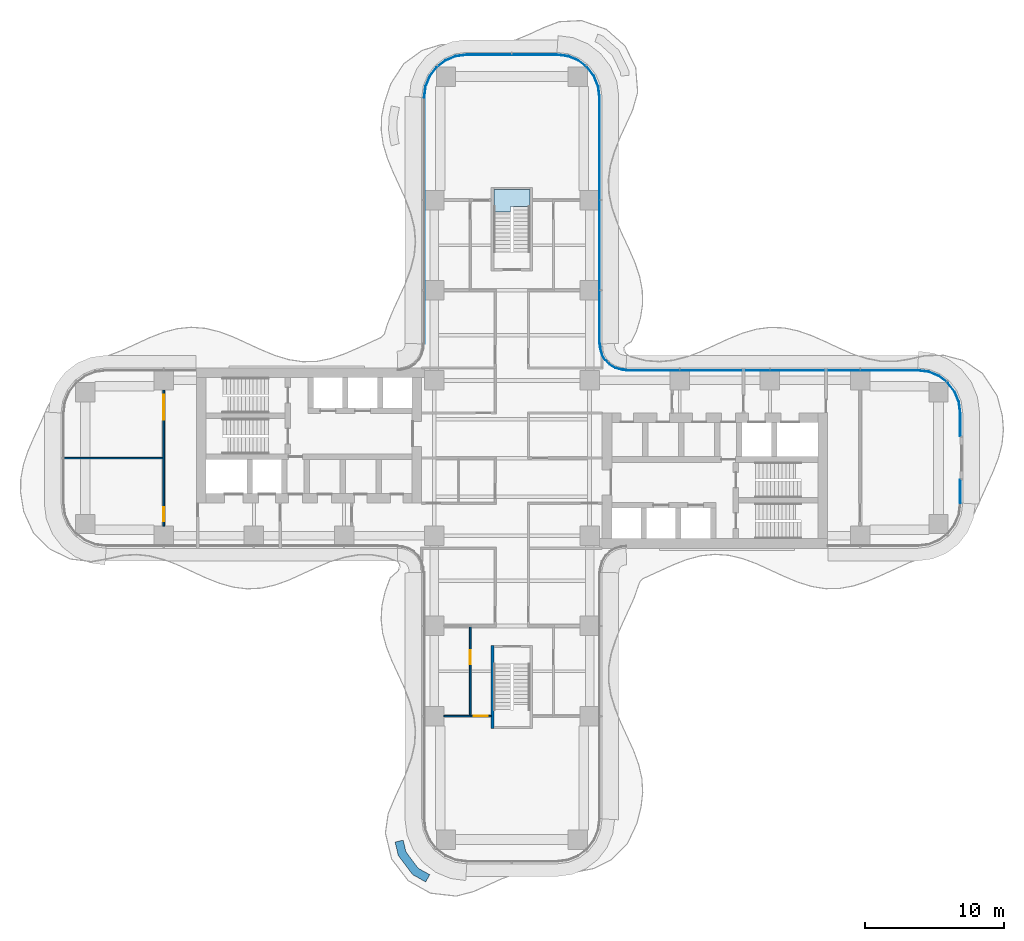
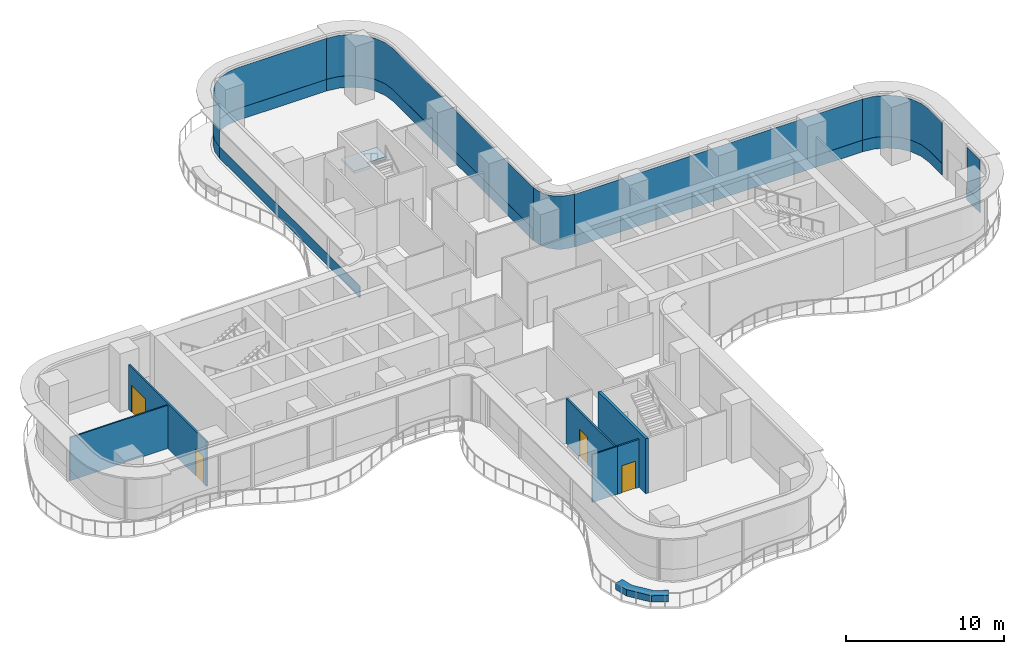
# One storey, part 16 of 22: 12 plates, 7 walls, 4 doors, 1 slab, 4 openings, 8 elements without a shape of their own.
"""IFC4 building model written with IfcOpenShell, lengths in metres."""

from ifc_helpers import new_model, si_unit, direction, frame, frame_2d, origin, place, context, subcontext, project, spatial, polyline, rectangle, outline, extrude, source, transform, mapped, material, layer, layer_set, type_object, element, fill, aggregate, save


model = new_model("IFC4")

# Units and contexts
model_context = context("Model", 3, precision=1e-05, world=origin(), true_north=direction((0.0, 1.0)))
body_context = subcontext(model_context, "Body", "Model", "MODEL_VIEW")
ifc_project = project(units=[si_unit("LENGTHUNIT", "METRE"), si_unit("AREAUNIT", "SQUARE_METRE"), si_unit("VOLUMEUNIT", "CUBIC_METRE"), si_unit("PLANEANGLEUNIT", "RADIAN"), si_unit("MASSUNIT", "GRAM", prefix="KILO")], contexts=[model_context])

# Site, building, storey
site_placement = place(None, origin())
site = spatial("IfcSite", under=ifc_project, at=site_placement, CompositionType="ELEMENT")
building_placement = place(site_placement, origin())
building = spatial("IfcBuilding", under=site, at=building_placement, Name="Trellis Farm Tower", CompositionType="ELEMENT")
storey_placement = place(building_placement, frame((0.0, 0.0, 38.5)))
storey = spatial("IfcBuildingStorey", under=building, at=storey_placement, Name="L07", CompositionType="ELEMENT", Elevation=38.5)

# Stair, slab
ifc_material_1 = material(Name="Concrete C50/60", Category="concrete")
stair_type = type_object("IfcStairType", Name="CORE EXIT STAIR 26 RISERS 173 MM", PredefinedType="HALF_TURN_STAIR", material=ifc_material_1)
placement_1 = place(storey_placement, origin())
stair = element("IfcStair", 1, at=placement_1, inside=storey, type_object=stair_type, Name="Exit stair N", PredefinedType="HALF_TURN_STAIR")
ifc_layer_1 = layer(ifc_material_1, 0.18994140625)
ifc_layer_set_1 = layer_set([ifc_layer_1], Name="CORE STAIR LANDING 190 CONCRETE C50/60")
slab_type = type_object("IfcSlabType", Name="CORE STAIR LANDING 190 CONCRETE C50/60", PredefinedType="LANDING", material=ifc_layer_set_1)
shared_shape_1 = source(origin(), body_context, "Body", "SweptSolid", [
    extrude(outline(polyline([(-0.10009765625, 17.753173828125), (-1.300048828125, 17.753173828125), (-1.300048828125, 18.14990234375), (-1.300048828125, 19.35009765625), (1.300048828125, 19.35009765625), (1.300048828125, 18.14990234375), (1.300048828125, 18.139892578125), (0.10009765625, 18.139892578125), (0.10009765625, 18.14990234375), (-0.10009765625, 18.14990234375), (-0.10009765625, 17.753173828125)])), origin(), (0.0, 0.0, 1.0), 0.18994140625),
])
slab_placement = place(storey_placement, frame((0.0, 0.0, 2.06005859375)))
slab = element("IfcSlab", 2, at=slab_placement, type_object=slab_type, Name="STN landing 1", PredefinedType="LANDING", context=body_context, shape_type="MappedRepresentation", body=[
    mapped(shared_shape_1, transform((0.0, 0.0, 0.0))),
])
aggregate(stair, [slab])

# Curtain wall, plates
ifc_material_2 = material(Name="Aluminium and glass curtain wall", Category="aluminium")
ifc_layer_2 = layer(ifc_material_2, 0.18994140625)
ifc_layer_set_2 = layer_set([ifc_layer_2], Name="RIBBON CURTAIN WALL CW1")
curtain_wall_type_1 = type_object("IfcCurtainWallType", Name="RIBBON CURTAIN WALL CW1", PredefinedType="NOTDEFINED", material=ifc_layer_set_2)
curtain_wall_1 = element("IfcCurtainWall", 3, at=placement_1, inside=storey, type_object=curtain_wall_type_1, Name="CW1 008", PredefinedType="NOTDEFINED")
ifc_material_3 = material(Name="Clear insulated glass", Category="glass")
ifc_layer_3 = layer(ifc_material_3, 0.0400390625)
ifc_layer_set_3 = layer_set([ifc_layer_3], Name="CW1 GLASS PANEL 40")
plate_type_1 = type_object("IfcPlateType", Name="CW1 GLASS PANEL 40", PredefinedType="CURTAIN_PANEL", material=ifc_layer_set_3)
shared_shape_2 = source(origin(), body_context, "Body", "SweptSolid", [
    extrude(outline(polyline([(29.240234375, 6.35009765625), (8.2265625, 6.35009765625), (8.22509765625, 6.31005859375), (29.237548828125, 6.31005859375), (29.240234375, 6.35009765625)])), origin(), (0.0, 0.0, 1.0), 3.170166015625),
])
placement_2 = place(storey_placement, frame((0.0, 0.0, 0.89990234375)))
plate_1 = element("IfcPlate", 4, at=placement_2, type_object=plate_type_1, Name="PL1 008", PredefinedType="CURTAIN_PANEL", context=body_context, shape_type="MappedRepresentation", body=[
    mapped(shared_shape_2, transform((0.0, 0.0, 0.0))),
])
ifc_material_4 = material(Name="Sandstone faced insulated panel", Category="masonry")
ifc_layer_4 = layer(ifc_material_4, 0.050048828125)
ifc_layer_set_4 = layer_set([ifc_layer_4], Name="CW1 STONE SPANDREL PANEL 50")
plate_type_2 = type_object("IfcPlateType", Name="CW1 STONE SPANDREL PANEL 50", PredefinedType="CURTAIN_PANEL", material=ifc_layer_set_4)
shared_shape_3 = source(origin(), body_context, "Body", "SweptSolid", [
    extrude(outline(polyline([(29.240234375, 6.35009765625), (8.2265625, 6.35009765625), (8.224853515625, 6.300048828125), (29.23681640625, 6.300048828125), (29.240234375, 6.35009765625)])), origin(), (0.0, 0.0, 1.0), 0.89990234375),
])
plate_2 = element("IfcPlate", 5, at=placement_1, type_object=plate_type_2, Name="PS1 008", PredefinedType="CURTAIN_PANEL", context=body_context, shape_type="MappedRepresentation", body=[
    mapped(shared_shape_3, transform((0.0, 0.0, 0.0))),
])
aggregate(curtain_wall_1, [plate_1, plate_2])

# Curtain wall, plate
ifc_layer_5 = layer(ifc_material_2, 0.166015625)
ifc_layer_set_5 = layer_set([ifc_layer_5], Name="WINTER GARDEN CURTAIN WALL CW3")
curtain_wall_type_2 = type_object("IfcCurtainWallType", Name="WINTER GARDEN CURTAIN WALL CW3", PredefinedType="NOTDEFINED", material=ifc_layer_set_5)
curtain_wall_2 = element("IfcCurtainWall", 6, at=placement_1, inside=storey, type_object=curtain_wall_type_2, Name="CW3 003", PredefinedType="NOTDEFINED")
ifc_layer_6 = layer(ifc_material_3, 0.0458984375)
ifc_layer_set_6 = layer_set([ifc_layer_6], Name="CW3 GLASS PANEL 46")
plate_type_3 = type_object("IfcPlateType", Name="CW3 GLASS PANEL 46", PredefinedType="CURTAIN_PANEL", material=ifc_layer_set_6)
shared_shape_4 = source(origin(), body_context, "Body", "SweptSolid", [
    extrude(outline(polyline([(8.2275390625, 6.3798828125), (8.0078125, 6.394287109375), (7.89208984375, 6.40966796875), (7.462158203125, 6.52490234375), (7.070556640625, 6.7509765625), (6.7509765625, 7.070556640625), (6.52490234375, 7.462158203125), (6.40966796875, 7.89208984375), (6.394287109375, 8.0078125), (6.3798828125, 8.2275390625), (6.333984375, 8.22607421875), (6.3486328125, 8.003173828125), (6.364501953125, 7.883056640625), (6.48193359375, 7.4443359375), (6.714111328125, 7.04248046875), (7.04248046875, 6.714111328125), (7.4443359375, 6.48193359375), (7.883056640625, 6.364501953125), (8.003173828125, 6.3486328125), (8.22607421875, 6.333984375), (8.2275390625, 6.3798828125)])), origin(), (0.0, 0.0, 1.0), 4.10009765625),
])
plate_3 = element("IfcPlate", 7, at=placement_1, type_object=plate_type_3, Name="PL3 003", PredefinedType="CURTAIN_PANEL", context=body_context, shape_type="MappedRepresentation", body=[
    mapped(shared_shape_4, transform((0.0, 0.0, 0.0))),
])
aggregate(curtain_wall_2, [plate_3])

# Curtain wall, plates
curtain_wall_3 = element("IfcCurtainWall", 8, at=placement_1, inside=storey, type_object=curtain_wall_type_1, Name="CW1 010", PredefinedType="NOTDEFINED")
shared_shape_5 = source(origin(), body_context, "Body", "SweptSolid", [
    extrude(outline(polyline([(3.240234375, 29.10009765625), (-3.240234375, 29.10009765625), (-4.052001953125, 28.9931640625), (-4.79931640625, 28.68359375), (-5.441162109375, 28.191162109375), (-5.93359375, 27.54931640625), (-6.2431640625, 26.802001953125), (-6.35009765625, 25.990234375), (-6.31005859375, 25.987548828125), (-6.2041015625, 26.79150390625), (-5.898681640625, 27.529296875), (-5.41259765625, 28.16259765625), (-4.779296875, 28.648681640625), (-4.04150390625, 28.9541015625), (-3.237548828125, 29.06005859375), (3.237548828125, 29.06005859375), (3.240234375, 29.10009765625)])), origin(), (0.0, 0.0, 1.0), 3.170166015625),
])
plate_4 = element("IfcPlate", 9, at=placement_2, type_object=plate_type_1, Name="PL1 010", PredefinedType="CURTAIN_PANEL", context=body_context, shape_type="MappedRepresentation", body=[
    mapped(shared_shape_5, transform((0.0, 0.0, 0.0))),
])
shared_shape_6 = source(origin(), body_context, "Body", "SweptSolid", [
    extrude(outline(polyline([(3.240234375, 29.10009765625), (-3.240234375, 29.10009765625), (-4.052001953125, 28.9931640625), (-4.79931640625, 28.68359375), (-5.441162109375, 28.191162109375), (-5.93359375, 27.54931640625), (-6.2431640625, 26.802001953125), (-6.35009765625, 25.990234375), (-6.300048828125, 25.98681640625), (-6.1943359375, 26.7890625), (-5.889892578125, 27.524169921875), (-5.405517578125, 28.155517578125), (-4.774169921875, 28.639892578125), (-4.0390625, 28.9443359375), (-3.23681640625, 29.050048828125), (3.23681640625, 29.050048828125), (3.240234375, 29.10009765625)])), origin(), (0.0, 0.0, 1.0), 0.89990234375),
])
plate_5 = element("IfcPlate", 10, at=placement_1, type_object=plate_type_2, Name="PS1 010", PredefinedType="CURTAIN_PANEL", context=body_context, shape_type="MappedRepresentation", body=[
    mapped(shared_shape_6, transform((0.0, 0.0, 0.0))),
])
aggregate(curtain_wall_3, [plate_4, plate_5])

# Curtain wall, plate
curtain_wall_4 = element("IfcCurtainWall", 11, at=placement_1, inside=storey, type_object=curtain_wall_type_1, Name="CW1 011", PredefinedType="NOTDEFINED")
shared_shape_7 = source(origin(), body_context, "Body", "SweptSolid", [
    extrude(outline(polyline([(-6.35009765625, 25.990234375), (-6.35009765625, 8.2265625), (-6.300048828125, 8.224853515625), (-6.300048828125, 25.98681640625), (-6.35009765625, 25.990234375)])), origin(), (0.0, 0.0, 1.0), 0.89990234375),
])
plate_6 = element("IfcPlate", 12, at=placement_1, type_object=plate_type_2, Name="PS1 011", PredefinedType="CURTAIN_PANEL", context=body_context, shape_type="MappedRepresentation", body=[
    mapped(shared_shape_7, transform((0.0, 0.0, 0.0))),
])
aggregate(curtain_wall_4, [plate_6])

# Curtain wall, plates
curtain_wall_5 = element("IfcCurtainWall", 13, at=placement_1, inside=storey, type_object=curtain_wall_type_1, Name="CW1 006", PredefinedType="NOTDEFINED")
shared_shape_8 = source(origin(), body_context, "Body", "SweptSolid", [
    extrude(outline(polyline([(32.35009765625, -3.240234375), (32.35009765625, -1.56005859375), (32.31005859375, -1.56005859375), (32.31005859375, -3.237548828125), (32.35009765625, -3.240234375)])), origin(), (0.0, 0.0, 1.0), 3.170166015625),
])
plate_7 = element("IfcPlate", 14, at=placement_2, type_object=plate_type_1, Name="PL1 006", PredefinedType="CURTAIN_PANEL", context=body_context, shape_type="MappedRepresentation", body=[
    mapped(shared_shape_8, transform((0.0, 0.0, 0.0))),
])
shared_shape_9 = source(origin(), body_context, "Body", "SweptSolid", [
    extrude(outline(polyline([(32.35009765625, -3.240234375), (32.35009765625, -1.56005859375), (32.300048828125, -1.56005859375), (32.300048828125, -3.23681640625), (32.35009765625, -3.240234375)])), origin(), (0.0, 0.0, 1.0), 0.89990234375),
])
plate_8 = element("IfcPlate", 15, at=placement_1, type_object=plate_type_2, Name="PS1 006", PredefinedType="CURTAIN_PANEL", context=body_context, shape_type="MappedRepresentation", body=[
    mapped(shared_shape_9, transform((0.0, 0.0, 0.0))),
])
aggregate(curtain_wall_5, [plate_7, plate_8])

curtain_wall_6 = element("IfcCurtainWall", 16, at=placement_1, inside=storey, type_object=curtain_wall_type_1, Name="CW1 007", PredefinedType="NOTDEFINED")
shared_shape_10 = source(origin(), body_context, "Body", "SweptSolid", [
    extrude(outline(polyline([(32.35009765625, 1.56005859375), (32.35009765625, 3.240234375), (32.2431640625, 4.052001953125), (31.93359375, 4.79931640625), (31.441162109375, 5.441162109375), (30.79931640625, 5.93359375), (30.052001953125, 6.2431640625), (29.240234375, 6.35009765625), (29.237548828125, 6.31005859375), (30.04150390625, 6.2041015625), (30.779296875, 5.898681640625), (31.41259765625, 5.41259765625), (31.898681640625, 4.779296875), (32.2041015625, 4.04150390625), (32.31005859375, 3.237548828125), (32.31005859375, 1.56005859375), (32.35009765625, 1.56005859375)])), origin(), (0.0, 0.0, 1.0), 3.170166015625),
])
plate_9 = element("IfcPlate", 17, at=placement_2, type_object=plate_type_1, Name="PL1 007", PredefinedType="CURTAIN_PANEL", context=body_context, shape_type="MappedRepresentation", body=[
    mapped(shared_shape_10, transform((0.0, 0.0, 0.0))),
])
shared_shape_11 = source(origin(), body_context, "Body", "SweptSolid", [
    extrude(outline(polyline([(32.35009765625, 1.56005859375), (32.35009765625, 3.240234375), (32.2431640625, 4.052001953125), (31.93359375, 4.79931640625), (31.441162109375, 5.441162109375), (30.79931640625, 5.93359375), (30.052001953125, 6.2431640625), (29.240234375, 6.35009765625), (29.23681640625, 6.300048828125), (30.0390625, 6.1943359375), (30.774169921875, 5.889892578125), (31.405517578125, 5.405517578125), (31.889892578125, 4.774169921875), (32.1943359375, 4.0390625), (32.300048828125, 3.23681640625), (32.300048828125, 1.56005859375), (32.35009765625, 1.56005859375)])), origin(), (0.0, 0.0, 1.0), 0.89990234375),
])
plate_10 = element("IfcPlate", 18, at=placement_1, type_object=plate_type_2, Name="PS1 007", PredefinedType="CURTAIN_PANEL", context=body_context, shape_type="MappedRepresentation", body=[
    mapped(shared_shape_11, transform((0.0, 0.0, 0.0))),
])
aggregate(curtain_wall_6, [plate_9, plate_10])

curtain_wall_7 = element("IfcCurtainWall", 19, at=placement_1, inside=storey, type_object=curtain_wall_type_1, Name="CW1 009", PredefinedType="NOTDEFINED")
shared_shape_12 = source(origin(), body_context, "Body", "SweptSolid", [
    extrude(outline(polyline([(6.35009765625, 8.2265625), (6.35009765625, 25.990234375), (6.2431640625, 26.802001953125), (5.93359375, 27.54931640625), (5.441162109375, 28.191162109375), (4.79931640625, 28.68359375), (4.052001953125, 28.9931640625), (3.240234375, 29.10009765625), (3.237548828125, 29.06005859375), (4.04150390625, 28.9541015625), (4.779296875, 28.648681640625), (5.41259765625, 28.16259765625), (5.898681640625, 27.529296875), (6.2041015625, 26.79150390625), (6.31005859375, 25.987548828125), (6.31005859375, 8.22509765625), (6.35009765625, 8.2265625)])), origin(), (0.0, 0.0, 1.0), 3.170166015625),
])
plate_11 = element("IfcPlate", 20, at=placement_2, type_object=plate_type_1, Name="PL1 009", PredefinedType="CURTAIN_PANEL", context=body_context, shape_type="MappedRepresentation", body=[
    mapped(shared_shape_12, transform((0.0, 0.0, 0.0))),
])
shared_shape_13 = source(origin(), body_context, "Body", "SweptSolid", [
    extrude(outline(polyline([(6.35009765625, 8.2265625), (6.35009765625, 25.990234375), (6.2431640625, 26.802001953125), (5.93359375, 27.54931640625), (5.441162109375, 28.191162109375), (4.79931640625, 28.68359375), (4.052001953125, 28.9931640625), (3.240234375, 29.10009765625), (3.23681640625, 29.050048828125), (4.0390625, 28.9443359375), (4.774169921875, 28.639892578125), (5.405517578125, 28.155517578125), (5.889892578125, 27.524169921875), (6.1943359375, 26.7890625), (6.300048828125, 25.98681640625), (6.300048828125, 8.224853515625), (6.35009765625, 8.2265625)])), origin(), (0.0, 0.0, 1.0), 0.89990234375),
])
plate_12 = element("IfcPlate", 21, at=placement_1, type_object=plate_type_2, Name="PS1 009", PredefinedType="CURTAIN_PANEL", context=body_context, shape_type="MappedRepresentation", body=[
    mapped(shared_shape_13, transform((0.0, 0.0, 0.0))),
])
aggregate(curtain_wall_7, [plate_11, plate_12])

# Walls
ifc_material_5 = material(Name="Sandstone faced masonry planter", Category="masonry")
ifc_layer_7 = layer(ifc_material_5, 0.60009765625)
ifc_layer_set_7 = layer_set([ifc_layer_7], Name="PLANTER BED 600")
wall_type_1 = type_object("IfcWallType", Name="PLANTER BED 600", PredefinedType="USERDEFINED", material=ifc_layer_set_7)
element("IfcWall", 22, at=placement_1, inside=storey, type_object=wall_type_1, Name="PLANTER bed", ObjectType="PLANTER", PredefinedType="USERDEFINED", context=body_context, shape_type="SweptSolid", body=[
    extrude(outline(polyline([(-8.191650390625, -28.643310546875), (-8.41943359375, -27.678466796875), (-7.83544921875, -27.54052734375), (-7.636474609375, -28.38427734375), (-6.7578125, -29.56103515625), (-5.919921875, -30.033447265625), (-6.214599609375, -30.555908203125), (-7.162841796875, -30.021484375), (-8.191650390625, -28.643310546875)])), origin(), (0.0, 0.0, 1.0), 0.5),
])
ifc_material_6 = material(Name="Concrete C80/95", Category="concrete")
ifc_layer_8 = layer(ifc_material_6, 0.199951171875)
ifc_layer_set_8 = layer_set([ifc_layer_8], Name="CORE STAIR ENCLOSURE WALL 200 CONCRETE C80/95")
wall_type_2 = type_object("IfcWallType", Name="CORE STAIR ENCLOSURE WALL 200 CONCRETE C80/95", PredefinedType="SHEAR", material=ifc_layer_set_8)
shared_shape_14 = source(origin(), body_context, "Body", "SweptSolid", [
    extrude(rectangle(XDim=6.0, YDim=0.199951171875, at=frame_2d((3.0, 0.0))), origin(), (0.0, 0.0, 1.0), 4.25),
])
wall_2_placement = place(storey_placement, frame((-1.39990234375, -13.5, 0.0), z_axis=(0.0, 0.0, 1.0), x_axis=(0.0, -1.0, 0.0)))
element("IfcWall", 23, at=wall_2_placement, inside=storey, type_object=wall_type_2, Name="Stair enclosure wall", PredefinedType="SHEAR", context=body_context, shape_type="MappedRepresentation", body=[
    mapped(shared_shape_14, transform((0.0, 0.0, 0.0))),
])

# Wall, openings, doors
ifc_material_7 = material(Name="Plasterboard on steel studs, mineral wool", Category="steel")
ifc_layer_9 = layer(ifc_material_7, 0.125)
ifc_layer_set_9 = layer_set([ifc_layer_9], Name="PARTITION 125 STUD EI 60")
wall_type_3 = type_object("IfcWallType", Name="PARTITION 125 STUD EI 60", PredefinedType="PARTITIONING", material=ifc_layer_set_9)
shared_shape_15 = source(origin(), body_context, "Body", "SweptSolid", [
    extrude(rectangle(XDim=9.7998046875, YDim=0.125, at=frame_2d((4.89990234375, 0.0))), origin(), (0.0, 0.0, 1.0), 3.4677734375),
])
wall_3_placement = place(storey_placement, frame((-25.10009765625, -4.89990234375, 0.0), z_axis=(0.0, 0.0, 1.0), x_axis=(0.0, 1.0, 0.0)))
wall_3 = element("IfcWall", 24, at=wall_3_placement, inside=storey, type_object=wall_type_3, Name="Partition PW1", PredefinedType="PARTITIONING", context=body_context, shape_type="MappedRepresentation", body=[
    mapped(shared_shape_15, transform((0.0, 0.0, 0.0))),
])
shared_shape_16 = source(origin(), body_context, "Body", "SweptSolid", [
    extrude(rectangle(XDim=1.0, YDim=2.10009765625, at=frame_2d((0.5, 1.050048828125))), frame((0.0, 0.072509765625, 0.0), z_axis=(0.0, -1.0, 0.0), x_axis=(1.0, 0.0, 0.0)), (0.0, 0.0, 1.0), 0.14501953125),
])
opening_1_placement = place(wall_3_placement, frame((0.35009765625, 0.0, 0.0)))
opening_1 = element("IfcOpeningElement", 25, at=opening_1_placement, cuts=wall_3, Name="Opening D105", PredefinedType="OPENING", context=body_context, shape_type="MappedRepresentation", body=[
    mapped(shared_shape_16, transform((0.0, 0.0, 0.0))),
])
shared_shape_17 = source(origin(), body_context, "Body", "SweptSolid", [
    extrude(rectangle(XDim=1.800048828125, YDim=2.10009765625, at=frame_2d((0.89990234375, 1.050048828125))), frame((0.0, 0.072509765625, 0.0), z_axis=(0.0, -1.0, 0.0), x_axis=(1.0, 0.0, 0.0)), (0.0, 0.0, 1.0), 0.14501953125),
])
opening_2_placement = place(wall_3_placement, frame((7.64990234375, 0.0, 0.0)))
opening_2 = element("IfcOpeningElement", 26, at=opening_2_placement, cuts=wall_3, Name="Opening D201", PredefinedType="OPENING", context=body_context, shape_type="MappedRepresentation", body=[
    mapped(shared_shape_17, transform((0.0, 0.0, 0.0))),
])
ifc_material_8 = material(Name="Fire-rated timber door leaf in a hollow metal frame", Category="wood")
door_type_1 = type_object("IfcDoorType", Name="DOOR 1000x2100 FD30S", OperationType="NOTDEFINED", PredefinedType="DOOR", material=ifc_material_8)
shared_shape_18 = source(origin(), body_context, "Body", "SweptSolid", [
    extrude(rectangle(XDim=1.0, YDim=2.10009765625, at=frame_2d((0.5, 1.050048828125))), frame((0.0, 0.02490234375, 0.0), z_axis=(0.0, -1.0, 0.0), x_axis=(1.0, 0.0, 0.0)), (0.0, 0.0, 1.0), 0.050048828125),
])
door_1_placement = place(opening_1_placement, origin())
door_1 = element("IfcDoor", 27, at=door_1_placement, inside=storey, type_object=door_type_1, Name="Door D105", OperationType="SINGLE_SWING_LEFT", OverallHeight=2.10009765625, OverallWidth=1.0, PredefinedType="DOOR", context=body_context, shape_type="MappedRepresentation", body=[
    mapped(shared_shape_18, transform((0.0, 0.0, 0.0))),
])
fill(opening_1, door_1)
door_type_2 = type_object("IfcDoorType", Name="DOOR PAIR 1800x2100 FD30S", OperationType="NOTDEFINED", PredefinedType="DOOR", material=ifc_material_8)
shared_shape_19 = source(origin(), body_context, "Body", "SweptSolid", [
    extrude(rectangle(XDim=1.800048828125, YDim=2.10009765625, at=frame_2d((0.89990234375, 1.050048828125))), frame((0.0, 0.02490234375, 0.0), z_axis=(0.0, -1.0, 0.0), x_axis=(1.0, 0.0, 0.0)), (0.0, 0.0, 1.0), 0.050048828125),
])
door_2_placement = place(opening_2_placement, origin())
door_2 = element("IfcDoor", 28, at=door_2_placement, inside=storey, type_object=door_type_2, Name="Door D201", OperationType="DOUBLE_DOOR_SINGLE_SWING", OverallHeight=2.10009765625, OverallWidth=1.800048828125, PredefinedType="DOOR", context=body_context, shape_type="MappedRepresentation", body=[
    mapped(shared_shape_19, transform((0.0, 0.0, 0.0))),
])
fill(opening_2, door_2)

# Wall
ifc_material_9 = material(Name="Plasterboard on steel studs", Category="steel")
ifc_layer_10 = layer(ifc_material_9, 0.10009765625)
ifc_layer_set_10 = layer_set([ifc_layer_10], Name="PARTITION 100 STUD EI 30")
wall_type_4 = type_object("IfcWallType", Name="PARTITION 100 STUD EI 30", PredefinedType="PARTITIONING", material=ifc_layer_set_10)
shared_shape_20 = source(origin(), body_context, "Body", "SweptSolid", [
    extrude(rectangle(XDim=1.96240234375, YDim=0.10009765625, at=frame_2d((0.981201171875, 0.0))), origin(), (0.0, 0.0, 1.0), 3.69677734375),
])
wall_4_placement = place(storey_placement, frame((-4.89990234375, -18.60009765625, 0.0), z_axis=(0.0, 0.0, 1.0), x_axis=(1.0, 0.0, 0.0)))
element("IfcWall", 29, at=wall_4_placement, inside=storey, type_object=wall_type_4, Name="Partition PW2", PredefinedType="PARTITIONING", context=body_context, shape_type="MappedRepresentation", body=[
    mapped(shared_shape_20, transform((0.0, 0.0, 0.0))),
])

# Wall, opening, door
shared_shape_21 = source(origin(), body_context, "Body", "SweptSolid", [
    extrude(rectangle(XDim=1.5625, YDim=0.125, at=frame_2d((0.78125, 0.0))), origin(), (0.0, 0.0, 1.0), 3.69677734375),
])
wall_5_placement = place(storey_placement, frame((-1.5, -18.60009765625, 0.0), z_axis=(0.0, 0.0, 1.0), x_axis=(-1.0, 0.0, 0.0)))
wall_5 = element("IfcWall", 30, at=wall_5_placement, inside=storey, type_object=wall_type_3, Name="Partition PW1", PredefinedType="PARTITIONING", context=body_context, shape_type="MappedRepresentation", body=[
    mapped(shared_shape_21, transform((0.0, 0.0, 0.0))),
])
opening_3_placement = place(wall_5_placement, frame((0.25, 0.0, 0.0)))
opening_3 = element("IfcOpeningElement", 31, at=opening_3_placement, cuts=wall_5, Name="Opening D101", PredefinedType="OPENING", context=body_context, shape_type="MappedRepresentation", body=[
    mapped(shared_shape_16, transform((0.0, 0.0, 0.0))),
])
door_3_placement = place(opening_3_placement, origin())
door_3 = element("IfcDoor", 32, at=door_3_placement, inside=storey, type_object=door_type_1, Name="Door D101", OperationType="SINGLE_SWING_LEFT", OverallHeight=2.10009765625, OverallWidth=1.0, PredefinedType="DOOR", context=body_context, shape_type="MappedRepresentation", body=[
    mapped(shared_shape_18, transform((0.0, 0.0, 0.0))),
])
fill(opening_3, door_3)

shared_shape_22 = source(origin(), body_context, "Body", "SweptSolid", [
    extrude(rectangle(XDim=6.400146484375, YDim=0.125, at=frame_2d((3.2001953125, 0.0))), origin(), (0.0, 0.0, 1.0), 3.4677734375),
])
wall_6_placement = place(storey_placement, frame((-3.0, -18.550048828125, 0.0), z_axis=(0.0, 0.0, 1.0), x_axis=(0.0, 1.0, 0.0)))
wall_6 = element("IfcWall", 33, at=wall_6_placement, inside=storey, type_object=wall_type_3, Name="Partition PW1", PredefinedType="PARTITIONING", context=body_context, shape_type="MappedRepresentation", body=[
    mapped(shared_shape_22, transform((0.0, 0.0, 0.0))),
])
opening_4_placement = place(wall_6_placement, frame((3.699951171875, 0.0, 0.0)))
opening_4 = element("IfcOpeningElement", 34, at=opening_4_placement, cuts=wall_6, Name="Opening D102", PredefinedType="OPENING", context=body_context, shape_type="MappedRepresentation", body=[
    mapped(shared_shape_16, transform((0.0, 0.0, 0.0))),
])
door_4_placement = place(opening_4_placement, origin())
door_4 = element("IfcDoor", 35, at=door_4_placement, inside=storey, type_object=door_type_1, Name="Door D102", OperationType="SINGLE_SWING_RIGHT", OverallHeight=2.10009765625, OverallWidth=1.0, PredefinedType="DOOR", context=body_context, shape_type="MappedRepresentation", body=[
    mapped(shared_shape_18, transform((0.0, 0.0, 0.0))),
])
fill(opening_4, door_4)

# Wall
shared_shape_23 = source(origin(), body_context, "Body", "SweptSolid", [
    extrude(rectangle(XDim=7.137451171875, YDim=0.10009765625, at=frame_2d((3.56884765625, 0.0))), origin(), (0.0, 0.0, 1.0), 3.330078125),
])
wall_7_placement = place(storey_placement, frame((-32.300048828125, 0.0, 0.0), z_axis=(0.0, 0.0, 1.0), x_axis=(1.0, 0.0, 0.0)))
element("IfcWall", 36, at=wall_7_placement, inside=storey, type_object=wall_type_4, Name="Partition PW2", PredefinedType="PARTITIONING", context=body_context, shape_type="MappedRepresentation", body=[
    mapped(shared_shape_23, transform((0.0, 0.0, 0.0))),
])

save(model, "model.ifc")
